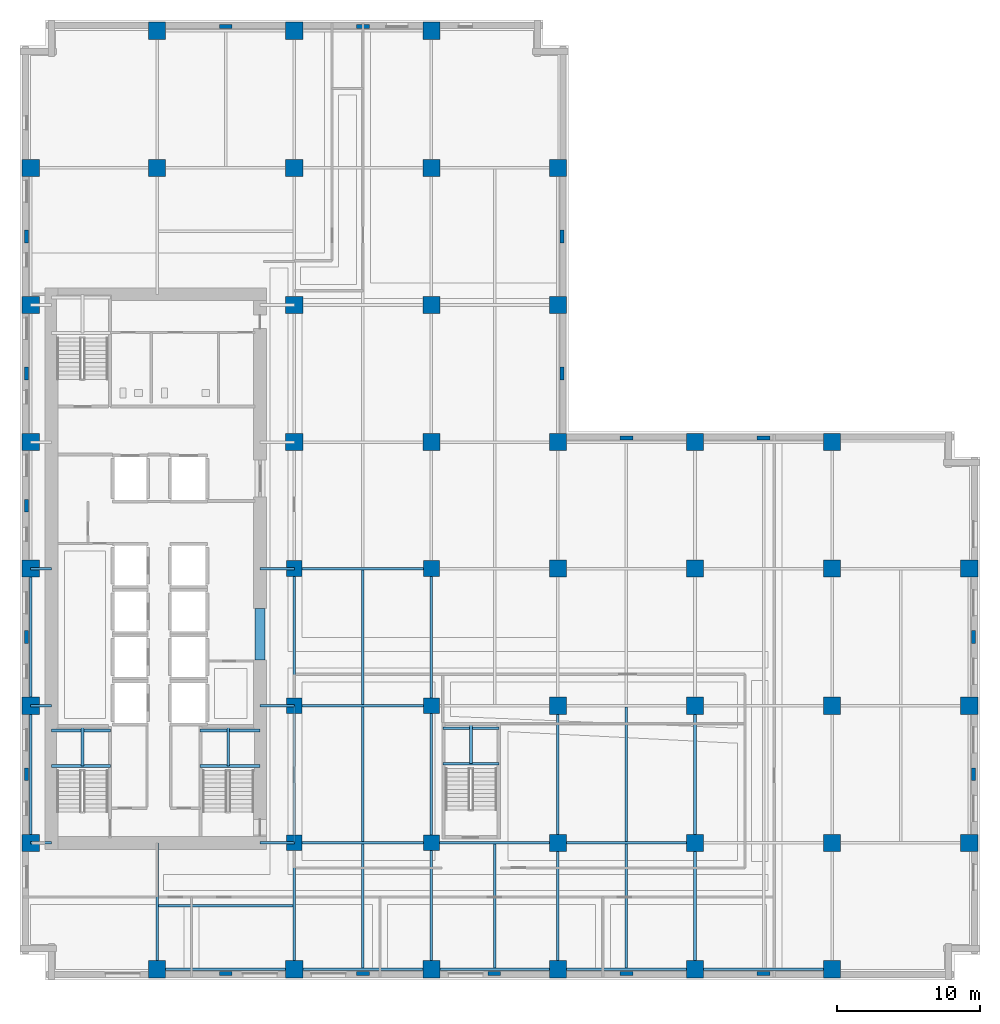
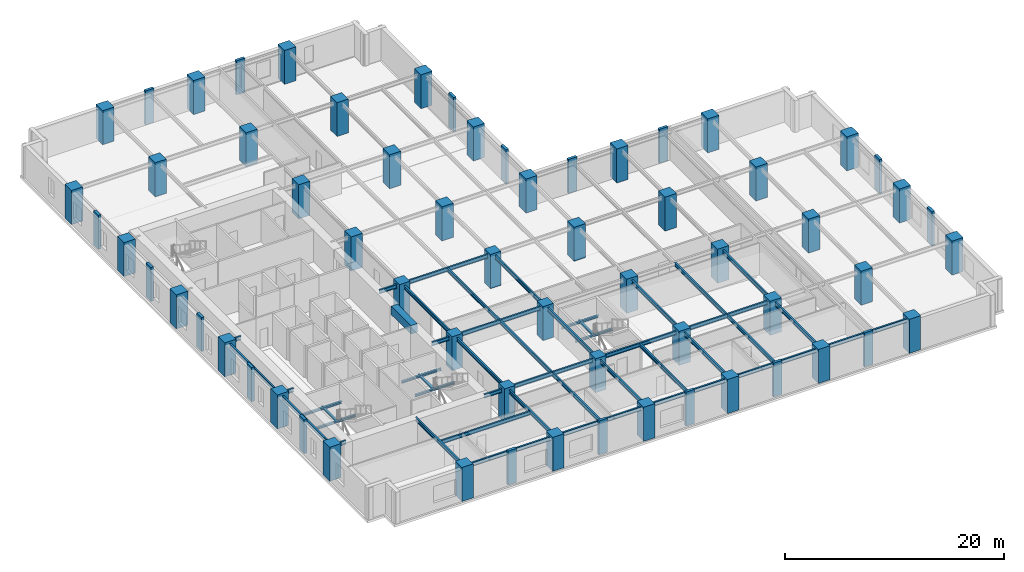
# One storey, part 1 of 13: 63 columns, 46 beams.
"""IFC4 building model written with IfcOpenShell, lengths in metres."""

from ifc_helpers import new_model, si_unit, direction, frame, origin, origin_2d, place, context, subcontext, project, spatial, rectangle, i_section, extrude, material, material_profile, profile_set, type_object, element, save


model = new_model("IFC4")

# Units and contexts
model_context = context("Model", 3, precision=1e-05, world=origin(), true_north=direction((0.0, 1.0)))
body_context = subcontext(model_context, "Body", "Model", "MODEL_VIEW")
ifc_project = project(units=[si_unit("LENGTHUNIT", "METRE"), si_unit("AREAUNIT", "SQUARE_METRE"), si_unit("VOLUMEUNIT", "CUBIC_METRE"), si_unit("PLANEANGLEUNIT", "RADIAN"), si_unit("MASSUNIT", "GRAM", prefix="KILO")], contexts=[model_context])

# Site, building, storey
site_placement = place(None, origin())
site = spatial("IfcSite", under=ifc_project, at=site_placement, CompositionType="ELEMENT")
building_placement = place(site_placement, origin())
building = spatial("IfcBuilding", under=site, at=building_placement, Name="Norrvale University Quadrangle", CompositionType="ELEMENT")
storey_placement = place(building_placement, frame((0.0, 0.0, 39.39990234375)))
storey = spatial("IfcBuildingStorey", under=building, at=storey_placement, Name="L09", CompositionType="ELEMENT", Elevation=39.39990234375)

# Columns
ifc_material_1 = material(Name="Buff Brick Concrete C60/75", Category="concrete")
ifc_material_profile_1 = material_profile(ifc_material_1, rectangle(XDim=0.89990234375, YDim=0.280029296875, at=origin_2d()), Name="Buff Brick Concrete C60/75")
ifc_profile_set_1 = profile_set([ifc_material_profile_1], Name="Buff Brick Concrete C60/75")
column_type_1 = type_object("IfcColumnType", Name="Column Buff Pier 900x280", PredefinedType="PILASTER", material=ifc_profile_set_1)
for number, where, z_axis, x_axis, name in (
    (1, (0.449951171875, 14.39990234375, 0.0), (0.0, 0.0, 1.0), (0.0, 1.0, 0.0), "Exterior Brick Facade Pilaster L09-01"),
    (2, (0.449951171875, 24.0, 0.0), (0.0, 0.0, 1.0), (0.0, 1.0, 0.0), "Exterior Brick Facade Pilaster L09-02"),
    (3, (0.449951171875, 33.199951171875, 0.0), (0.0, 0.0, 1.0), (0.0, 1.0, 0.0), "Exterior Brick Facade Pilaster L09-03"),
    (4, (0.449951171875, 42.449951171875, 0.0), (0.0, 0.0, 1.0), (0.0, 1.0, 0.0), "Exterior Brick Facade Pilaster L09-04"),
    (5, (0.449951171875, 52.050048828125, 0.0), (0.0, 0.0, 1.0), (0.0, 1.0, 0.0), "Exterior Brick Facade Pilaster L09-05"),
    (6, (14.39990234375, 0.449951171875, 0.0), (0.0, 0.0, 1.0), (1.0, 0.0, 0.0), "Exterior Brick Facade Pilaster L09-06"),
    (7, (24.0, 0.449951171875, 0.0), (0.0, 0.0, 1.0), (1.0, 0.0, 0.0), "Exterior Brick Facade Pilaster L09-07"),
    (8, (33.199951171875, 0.449951171875, 0.0), (0.0, 0.0, 1.0), (1.0, 0.0, 0.0), "Exterior Brick Facade Pilaster L09-08"),
    (9, (42.449951171875, 0.449951171875, 0.0), (0.0, 0.0, 1.0), (1.0, 0.0, 0.0), "Exterior Brick Facade Pilaster L09-09"),
    (10, (52.050048828125, 0.449951171875, 0.0), (0.0, 0.0, 1.0), (1.0, 0.0, 0.0), "Exterior Brick Facade Pilaster L09-10"),
    (11, (66.75, 14.39990234375, 0.0), (0.0, 0.0, 1.0), (0.0, 1.0, 0.0), "Exterior Brick Facade Pilaster L09-11"),
    (12, (66.75, 24.0, 0.0), (0.0, 0.0, 1.0), (0.0, 1.0, 0.0), "Exterior Brick Facade Pilaster L09-12"),
    (13, (14.39990234375, 66.75, 0.0), (0.0, 0.0, 1.0), (1.0, 0.0, 0.0), "Exterior Brick Facade Pilaster L09-13"),
    (14, (24.0, 66.75, 0.0), (0.0, 0.0, 1.0), (1.0, 0.0, 0.0), "Exterior Brick Facade Pilaster L09-14"),
    (15, (37.949951171875, 42.449951171875, 0.0), (0.0, 0.0, 1.0), (0.0, 1.0, 0.0), "Exterior Brick Facade Pilaster L09-15"),
    (16, (37.949951171875, 52.050048828125, 0.0), (0.0, 0.0, 1.0), (0.0, 1.0, 0.0), "Exterior Brick Facade Pilaster L09-16"),
    (17, (42.449951171875, 37.949951171875, 0.0), (0.0, 0.0, 1.0), (1.0, 0.0, 0.0), "Exterior Brick Facade Pilaster L09-17"),
    (18, (52.050048828125, 37.949951171875, 0.0), (0.0, 0.0, 1.0), (1.0, 0.0, 0.0), "Exterior Brick Facade Pilaster L09-18"),
):
    element("IfcColumn", number, at=place(storey_placement, frame(where, z_axis=z_axis, x_axis=x_axis)), inside=storey, type_object=column_type_1, Name=name, PredefinedType="PILASTER", context=body_context, shape_type="SweptSolid", body=[
        extrude(rectangle(XDim=0.89990234375, YDim=0.280029296875, at=origin_2d()), origin(), (0.0, 0.0, 1.0), 3.800048828125),
    ])
ifc_material_2 = material(Name="Concrete C80/95", Category="concrete")
ifc_material_profile_2 = material_profile(ifc_material_2, rectangle(XDim=1.10009765625, YDim=1.10009765625, at=origin_2d()), Name="Concrete C80/95")
ifc_profile_set_2 = profile_set([ifc_material_profile_2], Name="Concrete C80/95")
column_type_2 = type_object("IfcColumnType", Name="Column Tower Z1 1100x1100", PredefinedType="COLUMN", material=ifc_profile_set_2)
for number, where, z_axis, x_axis, name in (
    (19, (19.199951171875, 9.60009765625, 0.0), (0.0, 0.0, 1.0), (1.0, 0.0, 0.0), "Tower Column L09-T11"),
    (20, (19.199951171875, 19.199951171875, 0.0), (0.0, 0.0, 1.0), (1.0, 0.0, 0.0), "Tower Column L09-T12"),
    (21, (19.199951171875, 28.800048828125, 0.0), (0.0, 0.0, 1.0), (1.0, 0.0, 0.0), "Tower Column L09-T13"),
    (22, (28.800048828125, 9.60009765625, 0.0), (0.0, 0.0, 1.0), (1.0, 0.0, 0.0), "Tower Column L09-T19"),
    (23, (28.800048828125, 19.199951171875, 0.0), (0.0, 0.0, 1.0), (1.0, 0.0, 0.0), "Tower Column L09-T20"),
    (24, (28.800048828125, 28.800048828125, 0.0), (0.0, 0.0, 1.0), (1.0, 0.0, 0.0), "Tower Column L09-T21"),
):
    element("IfcColumn", number, at=place(storey_placement, frame(where, z_axis=z_axis, x_axis=x_axis)), inside=storey, type_object=column_type_2, Name=name, PredefinedType="COLUMN", context=body_context, shape_type="SweptSolid", body=[
        extrude(rectangle(XDim=1.10009765625, YDim=1.10009765625, at=origin_2d()), origin(), (0.0, 0.0, 1.0), 3.800048828125),
    ])
ifc_material_profile_3 = material_profile(ifc_material_2, rectangle(XDim=1.199951171875, YDim=1.199951171875, at=origin_2d()), Name="Concrete C80/95")
ifc_profile_set_3 = profile_set([ifc_material_profile_3], Name="Concrete C80/95")
column_type_3 = type_object("IfcColumnType", Name="Column Tower Z1 1200x1200", PredefinedType="COLUMN", material=ifc_profile_set_3)
for number, where, z_axis, x_axis, name in (
    (25, (0.75, 9.60009765625, 0.0), (0.0, 0.0, 1.0), (1.0, 0.0, 0.0), "Tower Column L09-T01"),
    (26, (0.75, 19.199951171875, 0.0), (0.0, 0.0, 1.0), (1.0, 0.0, 0.0), "Tower Column L09-T02"),
    (27, (0.75, 28.800048828125, 0.0), (0.0, 0.0, 1.0), (1.0, 0.0, 0.0), "Tower Column L09-T03"),
    (28, (0.75, 37.64990234375, 0.0), (0.0, 0.0, 1.0), (1.0, 0.0, 0.0), "Tower Column L09-T04"),
    (29, (0.75, 47.25, 0.0), (0.0, 0.0, 1.0), (1.0, 0.0, 0.0), "Tower Column L09-T05"),
    (30, (0.75, 56.85009765625, 0.0), (0.0, 0.0, 1.0), (1.0, 0.0, 0.0), "Tower Column L09-T06"),
    (31, (9.60009765625, 0.75, 0.0), (0.0, 0.0, 1.0), (1.0, 0.0, 0.0), "Tower Column L09-T07"),
    (32, (9.60009765625, 56.85009765625, 0.0), (0.0, 0.0, 1.0), (1.0, 0.0, 0.0), "Tower Column L09-T08"),
    (33, (9.60009765625, 66.449951171875, 0.0), (0.0, 0.0, 1.0), (1.0, 0.0, 0.0), "Tower Column L09-T09"),
    (34, (19.199951171875, 0.75, 0.0), (0.0, 0.0, 1.0), (1.0, 0.0, 0.0), "Tower Column L09-T10"),
    (35, (19.199951171875, 37.64990234375, 0.0), (0.0, 0.0, 1.0), (1.0, 0.0, 0.0), "Tower Column L09-T14"),
    (36, (19.199951171875, 47.25, 0.0), (0.0, 0.0, 1.0), (1.0, 0.0, 0.0), "Tower Column L09-T15"),
    (37, (19.199951171875, 56.85009765625, 0.0), (0.0, 0.0, 1.0), (1.0, 0.0, 0.0), "Tower Column L09-T16"),
    (38, (19.199951171875, 66.449951171875, 0.0), (0.0, 0.0, 1.0), (1.0, 0.0, 0.0), "Tower Column L09-T17"),
    (39, (28.800048828125, 0.75, 0.0), (0.0, 0.0, 1.0), (1.0, 0.0, 0.0), "Tower Column L09-T18"),
    (40, (28.800048828125, 37.64990234375, 0.0), (0.0, 0.0, 1.0), (1.0, 0.0, 0.0), "Tower Column L09-T22"),
    (41, (28.800048828125, 47.25, 0.0), (0.0, 0.0, 1.0), (1.0, 0.0, 0.0), "Tower Column L09-T23"),
    (42, (28.800048828125, 56.85009765625, 0.0), (0.0, 0.0, 1.0), (1.0, 0.0, 0.0), "Tower Column L09-T24"),
    (43, (28.800048828125, 66.449951171875, 0.0), (0.0, 0.0, 1.0), (1.0, 0.0, 0.0), "Tower Column L09-T25"),
    (44, (37.64990234375, 0.75, 0.0), (0.0, 0.0, 1.0), (1.0, 0.0, 0.0), "Tower Column L09-T26"),
    (45, (37.64990234375, 9.60009765625, 0.0), (0.0, 0.0, 1.0), (1.0, 0.0, 0.0), "Tower Column L09-T27"),
    (46, (37.64990234375, 19.199951171875, 0.0), (0.0, 0.0, 1.0), (1.0, 0.0, 0.0), "Tower Column L09-T28"),
    (47, (37.64990234375, 28.800048828125, 0.0), (0.0, 0.0, 1.0), (1.0, 0.0, 0.0), "Tower Column L09-T29"),
    (48, (37.64990234375, 37.64990234375, 0.0), (0.0, 0.0, 1.0), (1.0, 0.0, 0.0), "Tower Column L09-T30"),
    (49, (37.64990234375, 47.25, 0.0), (0.0, 0.0, 1.0), (1.0, 0.0, 0.0), "Tower Column L09-T31"),
    (50, (37.64990234375, 56.85009765625, 0.0), (0.0, 0.0, 1.0), (1.0, 0.0, 0.0), "Tower Column L09-T32"),
    (51, (47.25, 0.75, 0.0), (0.0, 0.0, 1.0), (1.0, 0.0, 0.0), "Tower Column L09-T33"),
    (52, (47.25, 9.60009765625, 0.0), (0.0, 0.0, 1.0), (1.0, 0.0, 0.0), "Tower Column L09-T34"),
    (53, (47.25, 19.199951171875, 0.0), (0.0, 0.0, 1.0), (1.0, 0.0, 0.0), "Tower Column L09-T35"),
    (54, (47.25, 28.800048828125, 0.0), (0.0, 0.0, 1.0), (1.0, 0.0, 0.0), "Tower Column L09-T36"),
    (55, (47.25, 37.64990234375, 0.0), (0.0, 0.0, 1.0), (1.0, 0.0, 0.0), "Tower Column L09-T37"),
    (56, (56.85009765625, 0.75, 0.0), (0.0, 0.0, 1.0), (1.0, 0.0, 0.0), "Tower Column L09-T38"),
    (57, (56.85009765625, 9.60009765625, 0.0), (0.0, 0.0, 1.0), (1.0, 0.0, 0.0), "Tower Column L09-T39"),
    (58, (56.85009765625, 19.199951171875, 0.0), (0.0, 0.0, 1.0), (1.0, 0.0, 0.0), "Tower Column L09-T40"),
    (59, (56.85009765625, 28.800048828125, 0.0), (0.0, 0.0, 1.0), (1.0, 0.0, 0.0), "Tower Column L09-T41"),
    (60, (56.85009765625, 37.64990234375, 0.0), (0.0, 0.0, 1.0), (1.0, 0.0, 0.0), "Tower Column L09-T42"),
    (61, (66.449951171875, 9.60009765625, 0.0), (0.0, 0.0, 1.0), (1.0, 0.0, 0.0), "Tower Column L09-T43"),
    (62, (66.449951171875, 19.199951171875, 0.0), (0.0, 0.0, 1.0), (1.0, 0.0, 0.0), "Tower Column L09-T44"),
    (63, (66.449951171875, 28.800048828125, 0.0), (0.0, 0.0, 1.0), (1.0, 0.0, 0.0), "Tower Column L09-T45"),
):
    element("IfcColumn", number, at=place(storey_placement, frame(where, z_axis=z_axis, x_axis=x_axis)), inside=storey, type_object=column_type_3, Name=name, PredefinedType="COLUMN", context=body_context, shape_type="SweptSolid", body=[
        extrude(rectangle(XDim=1.199951171875, YDim=1.199951171875, at=origin_2d()), origin(), (0.0, 0.0, 1.0), 3.800048828125),
    ])

# Beams
ifc_material_3 = material(Name="Steel 350W", Category="steel")
ifc_material_profile_4 = material_profile(ifc_material_3, i_section(OverallWidth=0.180908203125, OverallDepth=0.4169921875, WebThickness=0.010986328125, FlangeThickness=0.018310546875, FilletRadius=0.011962890625, at=origin_2d()), Name="Steel 350W")
ifc_profile_set_4 = profile_set([ifc_material_profile_4], Name="Steel 350W")
beam_type_1 = type_object("IfcBeamType", Name="Beam Atrium W410x85", PredefinedType="BEAM", material=ifc_profile_set_4)
beam_1_placement = place(storey_placement, frame((9.60009765625, 0.75, 3.33154296875), z_axis=(1.0, 0.0, 0.0), x_axis=(0.0, 1.0, 0.0)))
element("IfcBeam", 64, at=beam_1_placement, inside=storey, type_object=beam_type_1, Name="Beam Atrium W410x85 BM-L09-GX001", PredefinedType="BEAM", context=body_context, shape_type="SweptSolid", body=[
    extrude(i_section(OverallWidth=0.180908203125, OverallDepth=0.4169921875, WebThickness=0.010986328125, FlangeThickness=0.018310546875, FilletRadius=0.011962890625, at=origin_2d()), origin(), (0.0, 0.0, 1.0), 9.599853515625),
])
beam_2_placement = place(storey_placement, frame((19.199951171875, 0.75, 3.33154296875), z_axis=(1.0, 0.0, 0.0), x_axis=(0.0, 1.0, 0.0)))
element("IfcBeam", 65, at=beam_2_placement, inside=storey, type_object=beam_type_1, Name="Beam Atrium W410x85 BM-L09-GX002", PredefinedType="BEAM", context=body_context, shape_type="SweptSolid", body=[
    extrude(i_section(OverallWidth=0.180908203125, OverallDepth=0.4169921875, WebThickness=0.010986328125, FlangeThickness=0.018310546875, FilletRadius=0.011962890625, at=origin_2d()), origin(), (0.0, 0.0, 1.0), 9.60009765625),
])
beam_3_placement = place(storey_placement, frame((28.800048828125, 0.75, 3.33154296875), z_axis=(1.0, 0.0, 0.0), x_axis=(0.0, 1.0, 0.0)))
element("IfcBeam", 66, at=beam_3_placement, inside=storey, type_object=beam_type_1, Name="Beam Atrium W410x85 BM-L09-GX003", PredefinedType="BEAM", context=body_context, shape_type="SweptSolid", body=[
    extrude(i_section(OverallWidth=0.180908203125, OverallDepth=0.4169921875, WebThickness=0.010986328125, FlangeThickness=0.018310546875, FilletRadius=0.011962890625, at=origin_2d()), origin(), (0.0, 0.0, 1.0), 8.849853515625),
])
for number, where, z_axis, x_axis, name in (
    (67, (37.64990234375, 0.75, 3.33154296875), (1.0, 0.0, 0.0), (0.0, 1.0, 0.0), "Beam Atrium W410x85 BM-L09-GX004"),
    (68, (47.25, 0.75, 3.33154296875), (1.0, 0.0, 0.0), (0.0, 1.0, 0.0), "Beam Atrium W410x85 BM-L09-GX005"),
    (69, (19.199951171875, 9.60009765625, 3.33154296875), (1.0, 0.0, 0.0), (0.0, 1.0, 0.0), "Beam Atrium W410x85 BM-L09-GX006"),
):
    element("IfcBeam", number, at=place(storey_placement, frame(where, z_axis=z_axis, x_axis=x_axis)), inside=storey, type_object=beam_type_1, Name=name, PredefinedType="BEAM", context=body_context, shape_type="SweptSolid", body=[
        extrude(i_section(OverallWidth=0.180908203125, OverallDepth=0.4169921875, WebThickness=0.010986328125, FlangeThickness=0.018310546875, FilletRadius=0.011962890625, at=origin_2d()), origin(), (0.0, 0.0, 1.0), 9.60009765625),
    ])
beam_4_placement = place(storey_placement, frame((28.800048828125, 9.60009765625, 3.33154296875), z_axis=(1.0, 0.0, 0.0), x_axis=(0.0, 1.0, 0.0)))
element("IfcBeam", 70, at=beam_4_placement, inside=storey, type_object=beam_type_1, Name="Beam Atrium W410x85 BM-L09-GX007", PredefinedType="BEAM", context=body_context, shape_type="SweptSolid", body=[
    extrude(i_section(OverallWidth=0.180908203125, OverallDepth=0.4169921875, WebThickness=0.010986328125, FlangeThickness=0.018310546875, FilletRadius=0.011962890625, at=origin_2d()), origin(), (0.0, 0.0, 1.0), 8.849853515625),
])
for number, where, z_axis, x_axis, name in (
    (71, (37.64990234375, 9.60009765625, 3.33154296875), (1.0, 0.0, 0.0), (0.0, 1.0, 0.0), "Beam Atrium W410x85 BM-L09-GX008"),
    (72, (19.199951171875, 19.199951171875, 3.33154296875), (1.0, 0.0, 0.0), (0.0, 1.0, 0.0), "Beam Atrium W410x85 BM-L09-GX011"),
    (73, (19.199951171875, 28.800048828125, 3.33154296875), (1.0, 0.0, 0.0), (0.0, 1.0, 0.0), "Beam Atrium W410x85 BM-L09-GX016"),
):
    element("IfcBeam", number, at=place(storey_placement, frame(where, z_axis=z_axis, x_axis=x_axis)), inside=storey, type_object=beam_type_1, Name=name, PredefinedType="BEAM", context=body_context, shape_type="SweptSolid", body=[
        extrude(i_section(OverallWidth=0.180908203125, OverallDepth=0.4169921875, WebThickness=0.010986328125, FlangeThickness=0.018310546875, FilletRadius=0.011962890625, at=origin_2d()), origin(), (0.0, 0.0, 1.0), 9.60009765625),
    ])
beam_5_placement = place(storey_placement, frame((0.75, 9.60009765625, 3.33154296875), z_axis=(0.0, 1.0, 0.0), x_axis=(-1.0, 0.0, 0.0)))
element("IfcBeam", 74, at=beam_5_placement, inside=storey, type_object=beam_type_1, Name="Beam Atrium W410x85 BM-L09-GY033", PredefinedType="BEAM", context=body_context, shape_type="SweptSolid", body=[
    extrude(i_section(OverallWidth=0.180908203125, OverallDepth=0.4169921875, WebThickness=0.010986328125, FlangeThickness=0.018310546875, FilletRadius=0.011962890625, at=origin_2d()), origin(), (0.0, 0.0, 1.0), 9.599853515625),
])
beam_6_placement = place(storey_placement, frame((0.75, 19.199951171875, 3.33154296875), z_axis=(0.0, 1.0, 0.0), x_axis=(-1.0, 0.0, 0.0)))
element("IfcBeam", 75, at=beam_6_placement, inside=storey, type_object=beam_type_1, Name="Beam Atrium W410x85 BM-L09-GY034", PredefinedType="BEAM", context=body_context, shape_type="SweptSolid", body=[
    extrude(i_section(OverallWidth=0.180908203125, OverallDepth=0.4169921875, WebThickness=0.010986328125, FlangeThickness=0.018310546875, FilletRadius=0.011962890625, at=origin_2d()), origin(), (0.0, 0.0, 1.0), 9.60009765625),
])
beam_7_placement = place(storey_placement, frame((19.199951171875, 0.75, 3.33154296875), z_axis=(0.0, 1.0, 0.0), x_axis=(-1.0, 0.0, 0.0)))
element("IfcBeam", 76, at=beam_7_placement, inside=storey, type_object=beam_type_1, Name="Beam Atrium W410x85 BM-L09-GY039", PredefinedType="BEAM", context=body_context, shape_type="SweptSolid", body=[
    extrude(i_section(OverallWidth=0.180908203125, OverallDepth=0.4169921875, WebThickness=0.010986328125, FlangeThickness=0.018310546875, FilletRadius=0.011962890625, at=origin_2d()), origin(), (0.0, 0.0, 1.0), 8.85009765625),
])
beam_8_placement = place(storey_placement, frame((19.199951171875, 9.60009765625, 3.33154296875), z_axis=(0.0, 1.0, 0.0), x_axis=(-1.0, 0.0, 0.0)))
element("IfcBeam", 77, at=beam_8_placement, inside=storey, type_object=beam_type_1, Name="Beam Atrium W410x85 BM-L09-GY040", PredefinedType="BEAM", context=body_context, shape_type="SweptSolid", body=[
    extrude(i_section(OverallWidth=0.180908203125, OverallDepth=0.4169921875, WebThickness=0.010986328125, FlangeThickness=0.018310546875, FilletRadius=0.011962890625, at=origin_2d()), origin(), (0.0, 0.0, 1.0), 9.599853515625),
])
beam_9_placement = place(storey_placement, frame((19.199951171875, 19.199951171875, 3.33154296875), z_axis=(0.0, 1.0, 0.0), x_axis=(-1.0, 0.0, 0.0)))
element("IfcBeam", 78, at=beam_9_placement, inside=storey, type_object=beam_type_1, Name="Beam Atrium W410x85 BM-L09-GY041", PredefinedType="BEAM", context=body_context, shape_type="SweptSolid", body=[
    extrude(i_section(OverallWidth=0.180908203125, OverallDepth=0.4169921875, WebThickness=0.010986328125, FlangeThickness=0.018310546875, FilletRadius=0.011962890625, at=origin_2d()), origin(), (0.0, 0.0, 1.0), 9.60009765625),
])
beam_10_placement = place(storey_placement, frame((28.800048828125, 0.75, 3.33154296875), z_axis=(0.0, 1.0, 0.0), x_axis=(-1.0, 0.0, 0.0)))
element("IfcBeam", 79, at=beam_10_placement, inside=storey, type_object=beam_type_1, Name="Beam Atrium W410x85 BM-L09-GY046", PredefinedType="BEAM", context=body_context, shape_type="SweptSolid", body=[
    extrude(i_section(OverallWidth=0.180908203125, OverallDepth=0.4169921875, WebThickness=0.010986328125, FlangeThickness=0.018310546875, FilletRadius=0.011962890625, at=origin_2d()), origin(), (0.0, 0.0, 1.0), 8.85009765625),
])
beam_11_placement = place(storey_placement, frame((28.800048828125, 9.60009765625, 3.33154296875), z_axis=(0.0, 1.0, 0.0), x_axis=(-1.0, 0.0, 0.0)))
element("IfcBeam", 80, at=beam_11_placement, inside=storey, type_object=beam_type_1, Name="Beam Atrium W410x85 BM-L09-GY047", PredefinedType="BEAM", context=body_context, shape_type="SweptSolid", body=[
    extrude(i_section(OverallWidth=0.180908203125, OverallDepth=0.4169921875, WebThickness=0.010986328125, FlangeThickness=0.018310546875, FilletRadius=0.011962890625, at=origin_2d()), origin(), (0.0, 0.0, 1.0), 9.599853515625),
])
beam_12_placement = place(storey_placement, frame((28.800048828125, 19.199951171875, 3.33154296875), z_axis=(0.0, 1.0, 0.0), x_axis=(-1.0, 0.0, 0.0)))
element("IfcBeam", 81, at=beam_12_placement, inside=storey, type_object=beam_type_1, Name="Beam Atrium W410x85 BM-L09-GY048", PredefinedType="BEAM", context=body_context, shape_type="SweptSolid", body=[
    extrude(i_section(OverallWidth=0.180908203125, OverallDepth=0.4169921875, WebThickness=0.010986328125, FlangeThickness=0.018310546875, FilletRadius=0.011962890625, at=origin_2d()), origin(), (0.0, 0.0, 1.0), 9.60009765625),
])
beam_13_placement = place(storey_placement, frame((37.64990234375, 0.75, 3.33154296875), z_axis=(0.0, 1.0, 0.0), x_axis=(-1.0, 0.0, 0.0)))
element("IfcBeam", 82, at=beam_13_placement, inside=storey, type_object=beam_type_1, Name="Beam Atrium W410x85 BM-L09-GY053", PredefinedType="BEAM", context=body_context, shape_type="SweptSolid", body=[
    extrude(i_section(OverallWidth=0.180908203125, OverallDepth=0.4169921875, WebThickness=0.010986328125, FlangeThickness=0.018310546875, FilletRadius=0.011962890625, at=origin_2d()), origin(), (0.0, 0.0, 1.0), 8.85009765625),
])
beam_14_placement = place(storey_placement, frame((37.64990234375, 9.60009765625, 3.33154296875), z_axis=(0.0, 1.0, 0.0), x_axis=(-1.0, 0.0, 0.0)))
element("IfcBeam", 83, at=beam_14_placement, inside=storey, type_object=beam_type_1, Name="Beam Atrium W410x85 BM-L09-GY054", PredefinedType="BEAM", context=body_context, shape_type="SweptSolid", body=[
    extrude(i_section(OverallWidth=0.180908203125, OverallDepth=0.4169921875, WebThickness=0.010986328125, FlangeThickness=0.018310546875, FilletRadius=0.011962890625, at=origin_2d()), origin(), (0.0, 0.0, 1.0), 9.599853515625),
])
beam_15_placement = place(storey_placement, frame((47.25, 0.75, 3.33154296875), z_axis=(0.0, 1.0, 0.0), x_axis=(-1.0, 0.0, 0.0)))
element("IfcBeam", 84, at=beam_15_placement, inside=storey, type_object=beam_type_1, Name="Beam Atrium W410x85 BM-L09-GY059", PredefinedType="BEAM", context=body_context, shape_type="SweptSolid", body=[
    extrude(i_section(OverallWidth=0.180908203125, OverallDepth=0.4169921875, WebThickness=0.010986328125, FlangeThickness=0.018310546875, FilletRadius=0.011962890625, at=origin_2d()), origin(), (0.0, 0.0, 1.0), 8.85009765625),
])
beam_16_placement = place(storey_placement, frame((47.25, 9.60009765625, 3.33154296875), z_axis=(0.0, 1.0, 0.0), x_axis=(-1.0, 0.0, 0.0)))
element("IfcBeam", 85, at=beam_16_placement, inside=storey, type_object=beam_type_1, Name="Beam Atrium W410x85 BM-L09-GY060", PredefinedType="BEAM", context=body_context, shape_type="SweptSolid", body=[
    extrude(i_section(OverallWidth=0.180908203125, OverallDepth=0.4169921875, WebThickness=0.010986328125, FlangeThickness=0.018310546875, FilletRadius=0.011962890625, at=origin_2d()), origin(), (0.0, 0.0, 1.0), 9.599853515625),
])
beam_17_placement = place(storey_placement, frame((0.75, 9.60009765625, 3.33154296875), z_axis=(1.0, 0.0, 0.0), x_axis=(0.0, 1.0, 0.0)))
element("IfcBeam", 86, at=beam_17_placement, inside=storey, type_object=beam_type_1, Name="Beam Atrium W410x85 BM-L09-GCW069", PredefinedType="BEAM", context=body_context, shape_type="SweptSolid", body=[
    extrude(i_section(OverallWidth=0.180908203125, OverallDepth=0.4169921875, WebThickness=0.010986328125, FlangeThickness=0.018310546875, FilletRadius=0.011962890625, at=origin_2d()), origin(), (0.0, 0.0, 1.0), 1.449951171875),
])
beam_18_placement = place(storey_placement, frame((16.800048828125, 9.60009765625, 3.33154296875), z_axis=(1.0, 0.0, 0.0), x_axis=(0.0, 1.0, 0.0)))
element("IfcBeam", 87, at=beam_18_placement, inside=storey, type_object=beam_type_1, Name="Beam Atrium W410x85 BM-L09-GCE070", PredefinedType="BEAM", context=body_context, shape_type="SweptSolid", body=[
    extrude(i_section(OverallWidth=0.180908203125, OverallDepth=0.4169921875, WebThickness=0.010986328125, FlangeThickness=0.018310546875, FilletRadius=0.011962890625, at=origin_2d()), origin(), (0.0, 0.0, 1.0), 2.39990234375),
])
beam_19_placement = place(storey_placement, frame((0.75, 19.199951171875, 3.33154296875), z_axis=(1.0, 0.0, 0.0), x_axis=(0.0, 1.0, 0.0)))
element("IfcBeam", 88, at=beam_19_placement, inside=storey, type_object=beam_type_1, Name="Beam Atrium W410x85 BM-L09-GCW071", PredefinedType="BEAM", context=body_context, shape_type="SweptSolid", body=[
    extrude(i_section(OverallWidth=0.180908203125, OverallDepth=0.4169921875, WebThickness=0.010986328125, FlangeThickness=0.018310546875, FilletRadius=0.011962890625, at=origin_2d()), origin(), (0.0, 0.0, 1.0), 1.449951171875),
])
beam_20_placement = place(storey_placement, frame((16.800048828125, 19.199951171875, 3.33154296875), z_axis=(1.0, 0.0, 0.0), x_axis=(0.0, 1.0, 0.0)))
element("IfcBeam", 89, at=beam_20_placement, inside=storey, type_object=beam_type_1, Name="Beam Atrium W410x85 BM-L09-GCE072", PredefinedType="BEAM", context=body_context, shape_type="SweptSolid", body=[
    extrude(i_section(OverallWidth=0.180908203125, OverallDepth=0.4169921875, WebThickness=0.010986328125, FlangeThickness=0.018310546875, FilletRadius=0.011962890625, at=origin_2d()), origin(), (0.0, 0.0, 1.0), 2.39990234375),
])
beam_21_placement = place(storey_placement, frame((0.75, 28.800048828125, 3.33154296875), z_axis=(1.0, 0.0, 0.0), x_axis=(0.0, 1.0, 0.0)))
element("IfcBeam", 90, at=beam_21_placement, inside=storey, type_object=beam_type_1, Name="Beam Atrium W410x85 BM-L09-GCW073", PredefinedType="BEAM", context=body_context, shape_type="SweptSolid", body=[
    extrude(i_section(OverallWidth=0.180908203125, OverallDepth=0.4169921875, WebThickness=0.010986328125, FlangeThickness=0.018310546875, FilletRadius=0.011962890625, at=origin_2d()), origin(), (0.0, 0.0, 1.0), 1.449951171875),
])
beam_22_placement = place(storey_placement, frame((16.800048828125, 28.800048828125, 3.33154296875), z_axis=(1.0, 0.0, 0.0), x_axis=(0.0, 1.0, 0.0)))
element("IfcBeam", 91, at=beam_22_placement, inside=storey, type_object=beam_type_1, Name="Beam Atrium W410x85 BM-L09-GCE074", PredefinedType="BEAM", context=body_context, shape_type="SweptSolid", body=[
    extrude(i_section(OverallWidth=0.180908203125, OverallDepth=0.4169921875, WebThickness=0.010986328125, FlangeThickness=0.018310546875, FilletRadius=0.011962890625, at=origin_2d()), origin(), (0.0, 0.0, 1.0), 2.39990234375),
])
beam_23_placement = place(storey_placement, frame((9.60009765625, 0.75, 3.33154296875), z_axis=(0.0, 1.0, 0.0), x_axis=(-1.0, 0.0, 0.0)))
element("IfcBeam", 92, at=beam_23_placement, inside=storey, type_object=beam_type_1, Name="Beam Atrium W410x85 BM-L09-GCS102", PredefinedType="BEAM", context=body_context, shape_type="SweptSolid", body=[
    extrude(i_section(OverallWidth=0.180908203125, OverallDepth=0.4169921875, WebThickness=0.010986328125, FlangeThickness=0.018310546875, FilletRadius=0.011962890625, at=origin_2d()), origin(), (0.0, 0.0, 1.0), 8.85009765625),
])
ifc_material_profile_5 = material_profile(ifc_material_2, rectangle(XDim=0.699951171875, YDim=0.949951171875, at=origin_2d()), Name="Concrete C80/95")
ifc_profile_set_5 = profile_set([ifc_material_profile_5], Name="Concrete C80/95")
beam_type_2 = type_object("IfcBeamType", Name="Beam Core Link 700x950", PredefinedType="LINTEL", material=ifc_profile_set_5)
beam_24_placement = place(storey_placement, frame((16.800048828125, 22.39990234375, 3.065185546875), z_axis=(0.0, 1.0, 0.0), x_axis=(-1.0, 0.0, 0.0)))
element("IfcBeam", 93, at=beam_24_placement, inside=storey, type_object=beam_type_2, Name="Core Coupling Lintel Beam L09-1", PredefinedType="LINTEL", context=body_context, shape_type="SweptSolid", body=[
    extrude(rectangle(XDim=0.699951171875, YDim=0.949951171875, at=origin_2d()), origin(), (0.0, 0.0, 1.0), 3.60009765625),
])
ifc_material_profile_6 = material_profile(ifc_material_3, i_section(OverallWidth=0.177978515625, OverallDepth=0.406982421875, WebThickness=0.0078125, FlangeThickness=0.0126953125, FilletRadius=0.011962890625, at=origin_2d()), Name="Steel 350W")
ifc_profile_set_6 = profile_set([ifc_material_profile_6], Name="Steel 350W")
beam_type_3 = type_object("IfcBeamType", Name="Beam Roof Purlin W410x60", PredefinedType="USERDEFINED", material=ifc_profile_set_6)
beam_25_placement = place(storey_placement, frame((24.0, 0.840576171875, 3.336669921875), z_axis=(0.0, 1.0, 0.0), x_axis=(-1.0, 0.0, 0.0)))
element("IfcBeam", 94, at=beam_25_placement, inside=storey, type_object=beam_type_3, Name="Beam Roof Purlin W410x60 BM-L09-J080", ObjectType="PURLIN", PredefinedType="USERDEFINED", context=body_context, shape_type="SweptSolid", body=[
    extrude(i_section(OverallWidth=0.177978515625, OverallDepth=0.406982421875, WebThickness=0.0078125, FlangeThickness=0.0126953125, FilletRadius=0.011962890625, at=origin_2d()), origin(), (0.0, 0.0, 1.0), 8.6689453125),
])
beam_26_placement = place(storey_placement, frame((24.0, 9.6904296875, 3.336669921875), z_axis=(0.0, 1.0, 0.0), x_axis=(-1.0, 0.0, 0.0)))
element("IfcBeam", 95, at=beam_26_placement, inside=storey, type_object=beam_type_3, Name="Beam Roof Purlin W410x60 BM-L09-J081", ObjectType="PURLIN", PredefinedType="USERDEFINED", context=body_context, shape_type="SweptSolid", body=[
    extrude(i_section(OverallWidth=0.177978515625, OverallDepth=0.406982421875, WebThickness=0.0078125, FlangeThickness=0.0126953125, FilletRadius=0.011962890625, at=origin_2d()), origin(), (0.0, 0.0, 1.0), 9.419189453125),
])
beam_27_placement = place(storey_placement, frame((24.0, 19.29052734375, 3.336669921875), z_axis=(0.0, 1.0, 0.0), x_axis=(-1.0, 0.0, 0.0)))
element("IfcBeam", 96, at=beam_27_placement, inside=storey, type_object=beam_type_3, Name="Beam Roof Purlin W410x60 BM-L09-J082", ObjectType="PURLIN", PredefinedType="USERDEFINED", context=body_context, shape_type="SweptSolid", body=[
    extrude(i_section(OverallWidth=0.177978515625, OverallDepth=0.406982421875, WebThickness=0.0078125, FlangeThickness=0.0126953125, FilletRadius=0.011962890625, at=origin_2d()), origin(), (0.0, 0.0, 1.0), 9.4189453125),
])
for number, where, z_axis, x_axis, name in (
    (97, (33.22509765625, 0.840576171875, 3.336669921875), (0.0, 1.0, 0.0), (-1.0, 0.0, 0.0), "Beam Roof Purlin W410x60 BM-L09-J087"),
    (98, (42.449951171875, 0.840576171875, 3.336669921875), (0.0, 1.0, 0.0), (-1.0, 0.0, 0.0), "Beam Roof Purlin W410x60 BM-L09-J092"),
):
    element("IfcBeam", number, at=place(storey_placement, frame(where, z_axis=z_axis, x_axis=x_axis)), inside=storey, type_object=beam_type_3, Name=name, ObjectType="PURLIN", PredefinedType="USERDEFINED", context=body_context, shape_type="SweptSolid", body=[
        extrude(i_section(OverallWidth=0.177978515625, OverallDepth=0.406982421875, WebThickness=0.0078125, FlangeThickness=0.0126953125, FilletRadius=0.011962890625, at=origin_2d()), origin(), (0.0, 0.0, 1.0), 8.6689453125),
    ])
for number, where, z_axis, x_axis, name in (
    (99, (42.449951171875, 9.6904296875, 3.336669921875), (0.0, 1.0, 0.0), (-1.0, 0.0, 0.0), "Beam Roof Purlin W410x60 BM-L09-J093"),
    (100, (9.6904296875, 5.199951171875, 3.336669921875), (1.0, 0.0, 0.0), (0.0, 1.0, 0.0), "Beam Roof Purlin W410x60 BM-L09-JCS103"),
):
    element("IfcBeam", number, at=place(storey_placement, frame(where, z_axis=z_axis, x_axis=x_axis)), inside=storey, type_object=beam_type_3, Name=name, ObjectType="PURLIN", PredefinedType="USERDEFINED", context=body_context, shape_type="SweptSolid", body=[
        extrude(i_section(OverallWidth=0.177978515625, OverallDepth=0.406982421875, WebThickness=0.0078125, FlangeThickness=0.0126953125, FilletRadius=0.011962890625, at=origin_2d()), origin(), (0.0, 0.0, 1.0), 9.419189453125),
    ])
ifc_material_profile_7 = material_profile(ifc_material_3, i_section(OverallWidth=0.201904296875, OverallDepth=0.2470703125, WebThickness=0.00732421875, FlangeThickness=0.010986328125, FilletRadius=0.011962890625, at=origin_2d()), Name="Steel 350W")
ifc_profile_set_7 = profile_set([ifc_material_profile_7], Name="Steel 350W")
beam_type_4 = type_object("IfcBeamType", Name="Beam Stair W250x49", PredefinedType="BEAM", material=ifc_profile_set_7)
for number, where, z_axis, x_axis, name in (
    (101, (2.199951171875, 14.989990234375, 1.57666015625), (1.0, 0.0, 0.0), (0.0, 1.0, 0.0), "Stair Mid-Landing Front Beam ST-01 L09"),
    (102, (2.199951171875, 17.469970703125, 1.57666015625), (1.0, 0.0, 0.0), (0.0, 1.0, 0.0), "Stair Mid-Landing Rear Beam ST-01 L09"),
):
    element("IfcBeam", number, at=place(storey_placement, frame(where, z_axis=z_axis, x_axis=x_axis)), inside=storey, type_object=beam_type_4, Name=name, PredefinedType="BEAM", context=body_context, shape_type="SweptSolid", body=[
        extrude(i_section(OverallWidth=0.201904296875, OverallDepth=0.2470703125, WebThickness=0.00732421875, FlangeThickness=0.010986328125, FilletRadius=0.011962890625, at=origin_2d()), origin(), (0.0, 0.0, 1.0), 4.14013671875),
    ])
for number, where, z_axis, x_axis, name in (
    (103, (12.610107421875, 14.989990234375, 1.57666015625), (1.0, 0.0, 0.0), (0.0, 1.0, 0.0), "Stair Mid-Landing Front Beam ST-03 L09"),
    (104, (12.610107421875, 17.469970703125, 1.57666015625), (1.0, 0.0, 0.0), (0.0, 1.0, 0.0), "Stair Mid-Landing Rear Beam ST-03 L09"),
):
    element("IfcBeam", number, at=place(storey_placement, frame(where, z_axis=z_axis, x_axis=x_axis)), inside=storey, type_object=beam_type_4, Name=name, PredefinedType="BEAM", context=body_context, shape_type="SweptSolid", body=[
        extrude(i_section(OverallWidth=0.201904296875, OverallDepth=0.2470703125, WebThickness=0.00732421875, FlangeThickness=0.010986328125, FilletRadius=0.011962890625, at=origin_2d()), origin(), (0.0, 0.0, 1.0), 4.18994140625),
    ])
for number, where, z_axis, x_axis, name in (
    (105, (29.610107421875, 15.139892578125, 1.57666015625), (1.0, 0.0, 0.0), (0.0, 1.0, 0.0), "Stair Mid-Landing Front Beam ST-04 L09"),
    (106, (29.610107421875, 17.6201171875, 1.57666015625), (1.0, 0.0, 0.0), (0.0, 1.0, 0.0), "Stair Mid-Landing Rear Beam ST-04 L09"),
):
    element("IfcBeam", number, at=place(storey_placement, frame(where, z_axis=z_axis, x_axis=x_axis)), inside=storey, type_object=beam_type_4, Name=name, PredefinedType="BEAM", context=body_context, shape_type="SweptSolid", body=[
        extrude(i_section(OverallWidth=0.201904296875, OverallDepth=0.2470703125, WebThickness=0.00732421875, FlangeThickness=0.010986328125, FilletRadius=0.011962890625, at=origin_2d()), origin(), (0.0, 0.0, 1.0), 3.929931640625),
    ])
ifc_material_profile_8 = material_profile(ifc_material_3, i_section(OverallWidth=0.202880859375, OverallDepth=0.202880859375, WebThickness=0.007080078125, FlangeThickness=0.010986328125, FilletRadius=0.010009765625, at=origin_2d()), Name="Steel 350W")
ifc_profile_set_8 = profile_set([ifc_material_profile_8], Name="Steel 350W")
beam_type_5 = type_object("IfcBeamType", Name="Beam Trim W200x46", PredefinedType="BEAM", material=ifc_profile_set_8)
for number, where, z_axis, x_axis, name in (
    (107, (4.375, 14.989990234375, 1.5986328125), (0.0, 1.0, 0.0), (-1.0, 0.0, 0.0), "Stair Mid-Landing Cross Beam ST-01 L09"),
    (108, (14.574951171875, 14.989990234375, 1.5986328125), (0.0, 1.0, 0.0), (-1.0, 0.0, 0.0), "Stair Mid-Landing Cross Beam ST-03 L09"),
    (109, (31.574951171875, 15.139892578125, 1.5986328125), (0.0, 1.0, 0.0), (-1.0, 0.0, 0.0), "Stair Mid-Landing Cross Beam ST-04 L09"),
):
    element("IfcBeam", number, at=place(storey_placement, frame(where, z_axis=z_axis, x_axis=x_axis)), inside=storey, type_object=beam_type_5, Name=name, PredefinedType="BEAM", context=body_context, shape_type="SweptSolid", body=[
        extrude(i_section(OverallWidth=0.202880859375, OverallDepth=0.202880859375, WebThickness=0.007080078125, FlangeThickness=0.010986328125, FilletRadius=0.010009765625, at=origin_2d()), origin(), (0.0, 0.0, 1.0), 2.800048828125),
    ])

save(model, "model.ifc")
